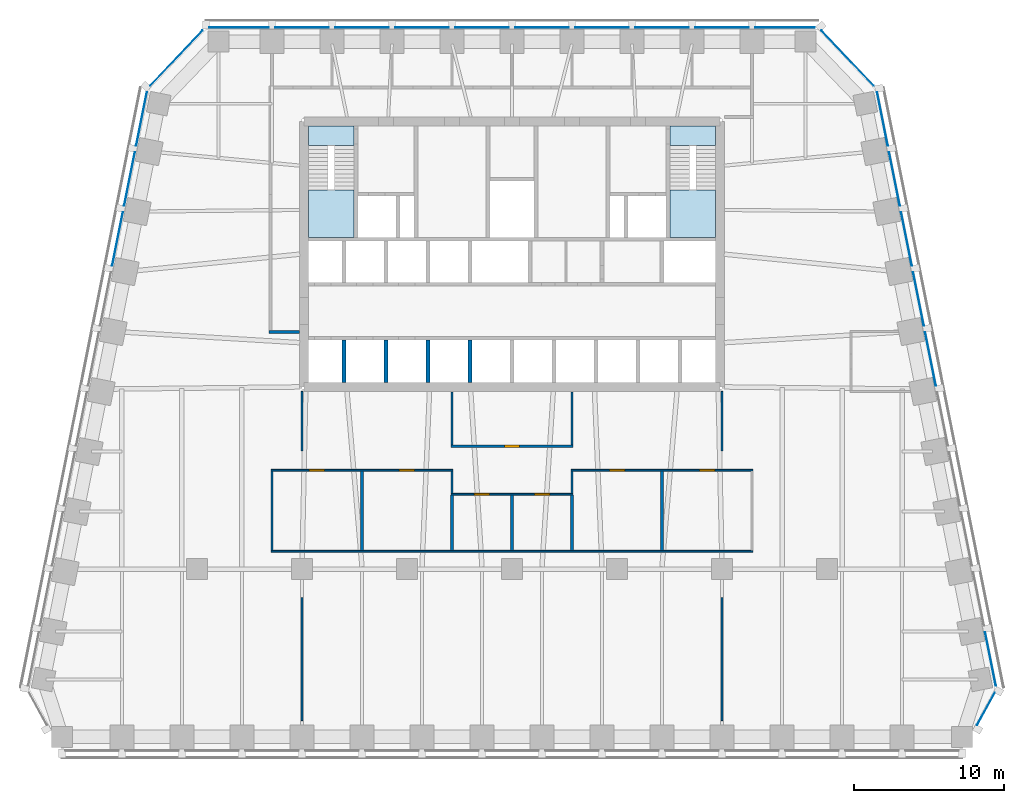
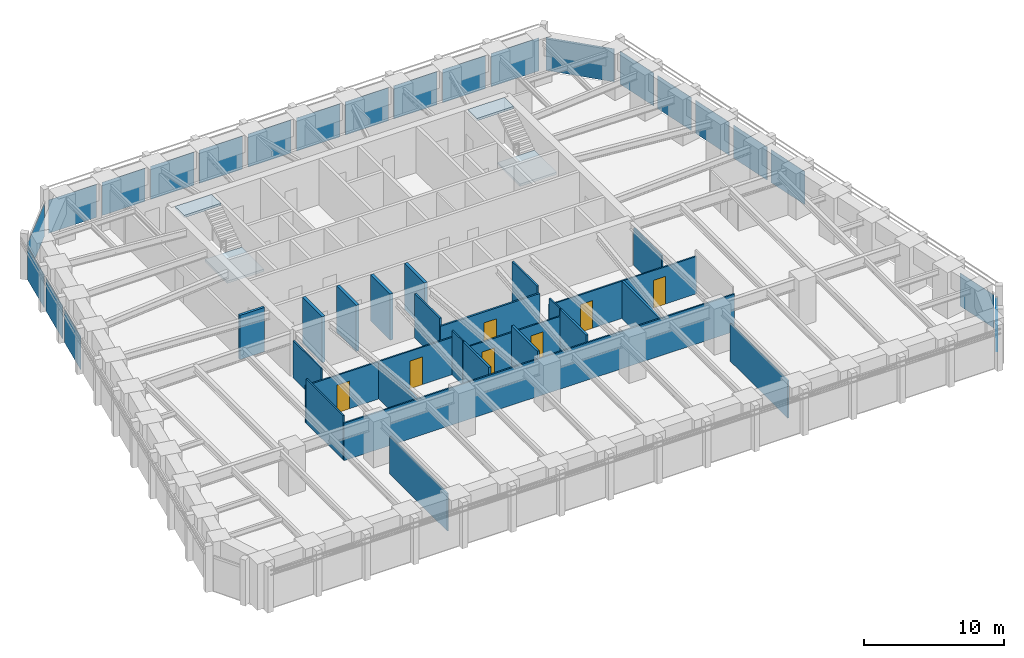
# One storey, part 5 of 9: 24 walls, 22 plates, 7 doors, 4 slabs, 7 openings, 8 elements without a shape of their own.
"""IFC4 building model written with IfcOpenShell, lengths in metres."""

from ifc_helpers import new_model, si_unit, direction, frame, frame_2d, origin, origin_2d, place, context, subcontext, project, spatial, polyline, rectangle, outline, extrude, material, layer, layer_set, type_object, element, fill, aggregate, save


model = new_model("IFC4")

# Units and contexts
model_context = context("Model", 3, precision=1e-05, world=origin(), true_north=direction((0.0, 1.0)))
body_context = subcontext(model_context, "Body", "Model", "MODEL_VIEW")
ifc_project = project(units=[si_unit("LENGTHUNIT", "METRE"), si_unit("AREAUNIT", "SQUARE_METRE"), si_unit("VOLUMEUNIT", "CUBIC_METRE"), si_unit("PLANEANGLEUNIT", "RADIAN"), si_unit("MASSUNIT", "GRAM", prefix="KILO")], contexts=[model_context])

# Site, building, storey
site_placement = place(None, origin())
site = spatial("IfcSite", under=ifc_project, at=site_placement, CompositionType="ELEMENT")
building_placement = place(site_placement, origin())
building = spatial("IfcBuilding", under=site, at=building_placement, Name="Isbrekke Arena Tower", CompositionType="ELEMENT")
storey_placement = place(building_placement, frame((0.0, 0.0, 178.0)))
storey = spatial("IfcBuildingStorey", under=building, at=storey_placement, Name="L40", CompositionType="ELEMENT", Elevation=178.0)

# Curtain wall, plate
ifc_material_1 = material(Name="Glazed aluminium curtain wall", Category="aluminium")
curtain_wall_type = type_object("IfcCurtainWallType", Name="CWH TOWER CURTAIN WALL HIGH ZONE", PredefinedType="USERDEFINED", material=ifc_material_1)
curtain_wall_1_placement = place(storey_placement, origin())
curtain_wall_1 = element("IfcCurtainWall", 1, at=curtain_wall_1_placement, inside=storey, type_object=curtain_wall_type, Name="CWH curtain wall L40-SE", ObjectType="TOWER CURTAIN WALL HIGH ZONE", PredefinedType="USERDEFINED")
ifc_material_2 = material(Name="Triple-glazed clear glass unit", Category="glass")
ifc_layer_1 = layer(ifc_material_2, 0.031982421875)
ifc_layer_set_1 = layer_set([ifc_layer_1], Name="CWH-P VISION PANEL")
plate_type = type_object("IfcPlateType", Name="CWH-P VISION PANEL", PredefinedType="CURTAIN_PANEL", material=ifc_layer_set_1)
plate_1_placement = place(storey_placement, frame((31.5908203125, -15.3154296875, 0.02001953125), z_axis=(0.0, 0.0, 1.0), x_axis=(0.481918749773, 0.876215908676, 0.0)))
plate_1 = element("IfcPlate", 2, at=plate_1_placement, type_object=plate_type, Name="CWH-P panel 1", PredefinedType="CURTAIN_PANEL", context=body_context, shape_type="SweptSolid", body=[
    extrude(rectangle(XDim=2.4423828125, YDim=0.031982421875, at=origin_2d()), origin(), (0.0, 0.0, 1.0), 2.8798828125),
])
aggregate(curtain_wall_1, [plate_1])

# Curtain wall, plates
curtain_wall_2_placement = place(storey_placement, origin())
curtain_wall_2 = element("IfcCurtainWall", 3, at=curtain_wall_2_placement, inside=storey, type_object=curtain_wall_type, Name="CWH curtain wall L40-E", ObjectType="TOWER CURTAIN WALL HIGH ZONE", PredefinedType="USERDEFINED")
plate_2_placement = place(storey_placement, frame((31.89794921875, -11.98046875, 0.02001953125), z_axis=(0.0, 0.0, 1.0), x_axis=(-0.196116135138, 0.980580675691, 0.0)))
plate_2 = element("IfcPlate", 4, at=plate_2_placement, type_object=plate_type, Name="CWH-P panel 1", PredefinedType="CURTAIN_PANEL", context=body_context, shape_type="SweptSolid", body=[
    extrude(rectangle(XDim=3.629150390625, YDim=0.031982421875, at=origin_2d()), origin(), (0.0, 0.0, 1.0), 2.8798828125),
])
plate_3_placement = place(storey_placement, frame((27.89794921875, 8.01953125, 0.02001953125), z_axis=(0.0, 0.0, 1.0), x_axis=(-0.196116135138, 0.980580675691, 0.0)))
plate_3 = element("IfcPlate", 5, at=plate_3_placement, type_object=plate_type, Name="CWH-P panel 6", PredefinedType="CURTAIN_PANEL", context=body_context, shape_type="SweptSolid", body=[
    extrude(rectangle(XDim=3.629150390625, YDim=0.031982421875, at=origin_2d()), origin(), (0.0, 0.0, 1.0), 2.8798828125),
])
plate_4_placement = place(storey_placement, frame((27.09814453125, 12.01953125, 0.02001953125), z_axis=(0.0, 0.0, 1.0), x_axis=(-0.196116135138, 0.980580675691, 0.0)))
plate_4 = element("IfcPlate", 6, at=plate_4_placement, type_object=plate_type, Name="CWH-P panel 7", PredefinedType="CURTAIN_PANEL", context=body_context, shape_type="SweptSolid", body=[
    extrude(rectangle(XDim=3.629150390625, YDim=0.031982421875, at=origin_2d()), origin(), (0.0, 0.0, 1.0), 2.8798828125),
])
plate_5_placement = place(storey_placement, frame((26.298095703125, 16.01953125, 0.02001953125), z_axis=(0.0, 0.0, 1.0), x_axis=(-0.196116135138, 0.980580675691, 0.0)))
plate_5 = element("IfcPlate", 7, at=plate_5_placement, type_object=plate_type, Name="CWH-P panel 8", PredefinedType="CURTAIN_PANEL", context=body_context, shape_type="SweptSolid", body=[
    extrude(rectangle(XDim=3.629150390625, YDim=0.031982421875, at=origin_2d()), origin(), (0.0, 0.0, 1.0), 2.8798828125),
])
plate_6_placement = place(storey_placement, frame((25.498046875, 20.01953125, 0.02001953125), z_axis=(0.0, 0.0, 1.0), x_axis=(-0.196116135138, 0.980580675691, 0.0)))
plate_6 = element("IfcPlate", 8, at=plate_6_placement, type_object=plate_type, Name="CWH-P panel 9", PredefinedType="CURTAIN_PANEL", context=body_context, shape_type="SweptSolid", body=[
    extrude(rectangle(XDim=3.629150390625, YDim=0.031982421875, at=origin_2d()), origin(), (0.0, 0.0, 1.0), 2.8798828125),
])
plate_7_placement = place(storey_placement, frame((24.697998046875, 24.01953125, 0.02001953125), z_axis=(0.0, 0.0, 1.0), x_axis=(-0.196116135138, 0.980580675691, 0.0)))
plate_7 = element("IfcPlate", 9, at=plate_7_placement, type_object=plate_type, Name="CWH-P panel 10", PredefinedType="CURTAIN_PANEL", context=body_context, shape_type="SweptSolid", body=[
    extrude(rectangle(XDim=3.629150390625, YDim=0.031982421875, at=origin_2d()), origin(), (0.0, 0.0, 1.0), 2.8798828125),
])
aggregate(curtain_wall_2, [plate_2, plate_3, plate_4, plate_5, plate_6, plate_7])

# Curtain wall, plate
curtain_wall_3_placement = place(storey_placement, origin())
curtain_wall_3 = element("IfcCurtainWall", 10, at=curtain_wall_3_placement, inside=storey, type_object=curtain_wall_type, Name="CWH curtain wall L40-EN", ObjectType="TOWER CURTAIN WALL HIGH ZONE", PredefinedType="USERDEFINED")
plate_8_placement = place(storey_placement, frame((22.37255859375, 28.06884765625, 0.02001953125), z_axis=(0.0, 0.0, 1.0), x_axis=(-0.68874946192, 0.72499943359, 0.0)))
plate_8 = element("IfcPlate", 11, at=plate_8_placement, type_object=plate_type, Name="CWH-P panel 1", PredefinedType="CURTAIN_PANEL", context=body_context, shape_type="SweptSolid", body=[
    extrude(rectangle(XDim=5.067138671875, YDim=0.031982421875, at=origin_2d()), origin(), (0.0, 0.0, 1.0), 2.8798828125),
])
aggregate(curtain_wall_3, [plate_8])

# Curtain wall, plates
curtain_wall_4_placement = place(storey_placement, origin())
curtain_wall_4 = element("IfcCurtainWall", 12, at=curtain_wall_4_placement, inside=storey, type_object=curtain_wall_type, Name="CWH curtain wall L40-N", ObjectType="TOWER CURTAIN WALL HIGH ZONE", PredefinedType="USERDEFINED")
plate_9_placement = place(storey_placement, frame((18.199951171875, 30.10009765625, 0.02001953125), z_axis=(0.0, 0.0, 1.0), x_axis=(-1.0, 0.0, 0.0)))
plate_9 = element("IfcPlate", 13, at=plate_9_placement, type_object=plate_type, Name="CWH-P panel 1", PredefinedType="CURTAIN_PANEL", context=body_context, shape_type="SweptSolid", body=[
    extrude(rectangle(XDim=3.949951171875, YDim=0.031982421875, at=origin_2d()), origin(), (0.0, 0.0, 1.0), 2.8798828125),
])
plate_10_placement = place(storey_placement, frame((14.0, 30.10009765625, 0.02001953125), z_axis=(0.0, 0.0, 1.0), x_axis=(-1.0, 0.0, 0.0)))
plate_10 = element("IfcPlate", 14, at=plate_10_placement, type_object=plate_type, Name="CWH-P panel 2", PredefinedType="CURTAIN_PANEL", context=body_context, shape_type="SweptSolid", body=[
    extrude(rectangle(XDim=3.550048828125, YDim=0.031982421875, at=origin_2d()), origin(), (0.0, 0.0, 1.0), 2.8798828125),
])
plate_11_placement = place(storey_placement, frame((10.0, 30.10009765625, 0.02001953125), z_axis=(0.0, 0.0, 1.0), x_axis=(-1.0, 0.0, 0.0)))
plate_11 = element("IfcPlate", 15, at=plate_11_placement, type_object=plate_type, Name="CWH-P panel 3", PredefinedType="CURTAIN_PANEL", context=body_context, shape_type="SweptSolid", body=[
    extrude(rectangle(XDim=3.550048828125, YDim=0.031982421875, at=origin_2d()), origin(), (0.0, 0.0, 1.0), 2.8798828125),
])
plate_12_placement = place(storey_placement, frame((6.0, 30.10009765625, 0.02001953125), z_axis=(0.0, 0.0, 1.0), x_axis=(-1.0, 0.0, 0.0)))
plate_12 = element("IfcPlate", 16, at=plate_12_placement, type_object=plate_type, Name="CWH-P panel 4", PredefinedType="CURTAIN_PANEL", context=body_context, shape_type="SweptSolid", body=[
    extrude(rectangle(XDim=3.550048828125, YDim=0.031982421875, at=origin_2d()), origin(), (0.0, 0.0, 1.0), 2.8798828125),
])
plate_13_placement = place(storey_placement, frame((2.0, 30.10009765625, 0.02001953125), z_axis=(0.0, 0.0, 1.0), x_axis=(-1.0, 0.0, 0.0)))
plate_13 = element("IfcPlate", 17, at=plate_13_placement, type_object=plate_type, Name="CWH-P panel 5", PredefinedType="CURTAIN_PANEL", context=body_context, shape_type="SweptSolid", body=[
    extrude(rectangle(XDim=3.550048828125, YDim=0.031982421875, at=origin_2d()), origin(), (0.0, 0.0, 1.0), 2.8798828125),
])
plate_14_placement = place(storey_placement, frame((-2.0, 30.10009765625, 0.02001953125), z_axis=(0.0, 0.0, 1.0), x_axis=(-1.0, 0.0, 0.0)))
plate_14 = element("IfcPlate", 18, at=plate_14_placement, type_object=plate_type, Name="CWH-P panel 6", PredefinedType="CURTAIN_PANEL", context=body_context, shape_type="SweptSolid", body=[
    extrude(rectangle(XDim=3.550048828125, YDim=0.031982421875, at=origin_2d()), origin(), (0.0, 0.0, 1.0), 2.8798828125),
])
plate_15_placement = place(storey_placement, frame((-6.0, 30.10009765625, 0.02001953125), z_axis=(0.0, 0.0, 1.0), x_axis=(-1.0, 0.0, 0.0)))
plate_15 = element("IfcPlate", 19, at=plate_15_placement, type_object=plate_type, Name="CWH-P panel 7", PredefinedType="CURTAIN_PANEL", context=body_context, shape_type="SweptSolid", body=[
    extrude(rectangle(XDim=3.550048828125, YDim=0.031982421875, at=origin_2d()), origin(), (0.0, 0.0, 1.0), 2.8798828125),
])
plate_16_placement = place(storey_placement, frame((-10.0, 30.10009765625, 0.02001953125), z_axis=(0.0, 0.0, 1.0), x_axis=(-1.0, 0.0, 0.0)))
plate_16 = element("IfcPlate", 20, at=plate_16_placement, type_object=plate_type, Name="CWH-P panel 8", PredefinedType="CURTAIN_PANEL", context=body_context, shape_type="SweptSolid", body=[
    extrude(rectangle(XDim=3.550048828125, YDim=0.031982421875, at=origin_2d()), origin(), (0.0, 0.0, 1.0), 2.8798828125),
])
plate_17_placement = place(storey_placement, frame((-14.0, 30.10009765625, 0.02001953125), z_axis=(0.0, 0.0, 1.0), x_axis=(-1.0, 0.0, 0.0)))
plate_17 = element("IfcPlate", 21, at=plate_17_placement, type_object=plate_type, Name="CWH-P panel 9", PredefinedType="CURTAIN_PANEL", context=body_context, shape_type="SweptSolid", body=[
    extrude(rectangle(XDim=3.550048828125, YDim=0.031982421875, at=origin_2d()), origin(), (0.0, 0.0, 1.0), 2.8798828125),
])
plate_18_placement = place(storey_placement, frame((-18.199951171875, 30.10009765625, 0.02001953125), z_axis=(0.0, 0.0, 1.0), x_axis=(-1.0, 0.0, 0.0)))
plate_18 = element("IfcPlate", 22, at=plate_18_placement, type_object=plate_type, Name="CWH-P panel 10", PredefinedType="CURTAIN_PANEL", context=body_context, shape_type="SweptSolid", body=[
    extrude(rectangle(XDim=3.949951171875, YDim=0.031982421875, at=origin_2d()), origin(), (0.0, 0.0, 1.0), 2.8798828125),
])
aggregate(curtain_wall_4, [plate_9, plate_10, plate_11, plate_12, plate_13, plate_14, plate_15, plate_16, plate_17, plate_18])

# Curtain wall, plate
curtain_wall_5_placement = place(storey_placement, origin())
curtain_wall_5 = element("IfcCurtainWall", 23, at=curtain_wall_5_placement, inside=storey, type_object=curtain_wall_type, Name="CWH curtain wall L40-NW", ObjectType="TOWER CURTAIN WALL HIGH ZONE", PredefinedType="USERDEFINED")
plate_19_placement = place(storey_placement, frame((-22.37255859375, 28.06884765625, 0.02001953125), z_axis=(0.0, 0.0, 1.0), x_axis=(-0.68874946192, -0.72499943359, 0.0)))
plate_19 = element("IfcPlate", 24, at=plate_19_placement, type_object=plate_type, Name="CWH-P panel 1", PredefinedType="CURTAIN_PANEL", context=body_context, shape_type="SweptSolid", body=[
    extrude(rectangle(XDim=5.067138671875, YDim=0.031982421875, at=origin_2d()), origin(), (0.0, 0.0, 1.0), 2.8798828125),
])
aggregate(curtain_wall_5, [plate_19])

# Curtain wall, plates
curtain_wall_6_placement = place(storey_placement, origin())
curtain_wall_6 = element("IfcCurtainWall", 25, at=curtain_wall_6_placement, inside=storey, type_object=curtain_wall_type, Name="CWH curtain wall L40-W", ObjectType="TOWER CURTAIN WALL HIGH ZONE", PredefinedType="USERDEFINED")
plate_20_placement = place(storey_placement, frame((-24.697998046875, 24.01953125, 0.02001953125), z_axis=(0.0, 0.0, 1.0), x_axis=(-0.196116135138, -0.980580675691, 0.0)))
plate_20 = element("IfcPlate", 26, at=plate_20_placement, type_object=plate_type, Name="CWH-P panel 1", PredefinedType="CURTAIN_PANEL", context=body_context, shape_type="SweptSolid", body=[
    extrude(rectangle(XDim=3.629150390625, YDim=0.031982421875, at=origin_2d()), origin(), (0.0, 0.0, 1.0), 2.8798828125),
])
plate_21_placement = place(storey_placement, frame((-25.498046875, 20.01953125, 0.02001953125), z_axis=(0.0, 0.0, 1.0), x_axis=(-0.196116135138, -0.980580675691, 0.0)))
plate_21 = element("IfcPlate", 27, at=plate_21_placement, type_object=plate_type, Name="CWH-P panel 2", PredefinedType="CURTAIN_PANEL", context=body_context, shape_type="SweptSolid", body=[
    extrude(rectangle(XDim=3.629150390625, YDim=0.031982421875, at=origin_2d()), origin(), (0.0, 0.0, 1.0), 2.8798828125),
])
plate_22_placement = place(storey_placement, frame((-26.298095703125, 16.01953125, 0.02001953125), z_axis=(0.0, 0.0, 1.0), x_axis=(-0.196116135138, -0.980580675691, 0.0)))
plate_22 = element("IfcPlate", 28, at=plate_22_placement, type_object=plate_type, Name="CWH-P panel 3", PredefinedType="CURTAIN_PANEL", context=body_context, shape_type="SweptSolid", body=[
    extrude(rectangle(XDim=3.629150390625, YDim=0.031982421875, at=origin_2d()), origin(), (0.0, 0.0, 1.0), 2.8798828125),
])
aggregate(curtain_wall_6, [plate_20, plate_21, plate_22])

# Stair, slabs
ifc_material_3 = material(Name="Concrete B45 (C45/55) precast", Category="concrete")
stair_type = type_object("IfcStairType", Name="ST40 STAIR 1300 WIDE, 24 RISERS 167", PredefinedType="HALF_TURN_STAIR", material=ifc_material_3)
stair_1_placement = place(storey_placement, origin())
stair_1 = element("IfcStair", 29, at=stair_1_placement, inside=storey, type_object=stair_type, Name="ST1 stair L40", PredefinedType="HALF_TURN_STAIR")
ifc_material_4 = material(Name="Concrete B35 (C35/45)", Category="concrete")
ifc_layer_2 = layer(ifc_material_4, 0.199951171875)
ifc_layer_set_2 = layer_set([ifc_layer_2], Name="SL1 STAIR LANDING 200")
slab_type = type_object("IfcSlabType", Name="SL1 STAIR LANDING 200", PredefinedType="LANDING", material=ifc_layer_set_2)
slab_1_placement = place(storey_placement, frame((0.0, 0.0, 1.800048828125)))
slab_1 = element("IfcSlab", 30, at=slab_1_placement, type_object=slab_type, Name="ST1 landing 1", PredefinedType="LANDING", context=body_context, shape_type="SweptSolid", body=[
    extrude(outline(polyline([(-13.550048828125, 16.125), (-10.52490234375, 16.125), (-10.52490234375, 19.280029296875), (-13.550048828125, 19.280029296875), (-13.550048828125, 16.125)])), origin(), (0.0, 0.0, 1.0), 0.199951171875),
])
slab_2_placement = place(storey_placement, frame((0.0, 0.0, 3.800048828125)))
slab_2 = element("IfcSlab", 31, at=slab_2_placement, type_object=slab_type, Name="ST1 landing 2", PredefinedType="LANDING", context=body_context, shape_type="SweptSolid", body=[
    extrude(outline(polyline([(-13.550048828125, 22.25), (-10.52490234375, 22.25), (-10.52490234375, 23.550048828125), (-13.550048828125, 23.550048828125), (-13.550048828125, 22.25)])), origin(), (0.0, 0.0, 1.0), 0.199951171875),
])
aggregate(stair_1, [slab_1, slab_2])

stair_2_placement = place(storey_placement, origin())
stair_2 = element("IfcStair", 32, at=stair_2_placement, inside=storey, type_object=stair_type, Name="ST2 stair L40", PredefinedType="HALF_TURN_STAIR")
slab_3_placement = place(storey_placement, frame((0.0, 0.0, 1.800048828125)))
slab_3 = element("IfcSlab", 33, at=slab_3_placement, type_object=slab_type, Name="ST2 landing 1", PredefinedType="LANDING", context=body_context, shape_type="SweptSolid", body=[
    extrude(outline(polyline([(10.52490234375, 16.125), (13.550048828125, 16.125), (13.550048828125, 19.280029296875), (10.52490234375, 19.280029296875), (10.52490234375, 16.125)])), origin(), (0.0, 0.0, 1.0), 0.199951171875),
])
slab_4_placement = place(storey_placement, frame((0.0, 0.0, 3.800048828125)))
slab_4 = element("IfcSlab", 34, at=slab_4_placement, type_object=slab_type, Name="ST2 landing 2", PredefinedType="LANDING", context=body_context, shape_type="SweptSolid", body=[
    extrude(outline(polyline([(10.52490234375, 22.25), (13.550048828125, 22.25), (13.550048828125, 23.550048828125), (10.52490234375, 23.550048828125), (10.52490234375, 22.25)])), origin(), (0.0, 0.0, 1.0), 0.199951171875),
])
aggregate(stair_2, [slab_3, slab_4])

# Walls
ifc_material_5 = material(Name="Concrete B45 (C45/55)", Category="concrete")
ifc_layer_3 = layer(ifc_material_5, 0.25)
ifc_layer_set_3 = layer_set([ifc_layer_3], Name="CW6 SHAFT WALL 250")
wall_type_1 = type_object("IfcWallType", Name="CW6 SHAFT WALL 250", PredefinedType="SHEAR", material=ifc_layer_set_3)
for number, where, z_axis, x_axis, name in (
    (35, (-11.199951171875, 6.449951171875, 0.0), (0.0, 0.0, 1.0), (0.0, 1.0, 0.0), "Core wall SS01 L40"),
    (36, (-8.39990234375, 6.449951171875, 0.0), (0.0, 0.0, 1.0), (0.0, 1.0, 0.0), "Core wall SS02 L40"),
    (37, (-5.60009765625, 6.449951171875, 0.0), (0.0, 0.0, 1.0), (0.0, 1.0, 0.0), "Core wall SS03 L40"),
    (38, (-2.800048828125, 6.449951171875, 0.0), (0.0, 0.0, 1.0), (0.0, 1.0, 0.0), "Core wall SS04 L40"),
):
    element("IfcWall", number, at=place(storey_placement, frame(where, z_axis=z_axis, x_axis=x_axis)), inside=storey, type_object=wall_type_1, Name=name, PredefinedType="SHEAR", context=body_context, shape_type="SweptSolid", body=[
        extrude(rectangle(XDim=2.824951171875, YDim=0.25, at=frame_2d((1.41259765625, 0.0))), origin(), (0.0, 0.0, 1.0), 4.0),
    ])

# Wall, opening, door
ifc_material_6 = material(Name="Gypsum board partition on steel studs", Category="steel")
ifc_layer_4 = layer(ifc_material_6, 0.14990234375)
ifc_layer_set_4 = layer_set([ifc_layer_4], Name="IW1 PARTITION 150")
wall_type_2 = type_object("IfcWallType", Name="IW1 PARTITION 150", PredefinedType="PARTITIONING", material=ifc_layer_set_4)
wall_1_placement = place(storey_placement, frame((-4.074951171875, 2.199951171875, 0.0), z_axis=(0.0, 0.0, 1.0), x_axis=(1.0, 0.0, 0.0)))
wall_1 = element("IfcWall", 39, at=wall_1_placement, inside=storey, type_object=wall_type_2, Name="IW1 partition 150 L40", PredefinedType="PARTITIONING", context=body_context, shape_type="SweptSolid", body=[
    extrude(rectangle(XDim=8.14990234375, YDim=0.14990234375, at=frame_2d((4.074951171875, 0.0))), origin(), (0.0, 0.0, 1.0), 3.25),
])
opening_1_placement = place(wall_1_placement, frame((3.574951171875, 0.0, 0.0)))
opening_1 = element("IfcOpeningElement", 40, at=opening_1_placement, cuts=wall_1, Name="Opening D10", PredefinedType="OPENING", context=body_context, shape_type="SweptSolid", body=[
    extrude(rectangle(XDim=1.0, YDim=2.300048828125, at=frame_2d((0.5, 1.14990234375))), frame((0.0, 0.08984375, 0.0), z_axis=(0.0, -1.0, 0.0), x_axis=(1.0, 0.0, 0.0)), (0.0, 0.0, 1.0), 0.1796875),
])
ifc_material_7 = material(Name="Timber door", Category="wood")
door_type_1 = type_object("IfcDoorType", Name="D10 OFFICE DOOR 1000 x 2300", OperationType="SINGLE_SWING_LEFT", PredefinedType="DOOR", material=ifc_material_7)
door_1_placement = place(opening_1_placement, origin())
door_1 = element("IfcDoor", 41, at=door_1_placement, inside=storey, type_object=door_type_1, Name="D10 technical room door L40", OperationType="SINGLE_SWING_LEFT", OverallHeight=2.300048828125, OverallWidth=1.0, PredefinedType="DOOR", context=body_context, shape_type="SweptSolid", body=[
    extrude(rectangle(XDim=1.0, YDim=2.300048828125, at=frame_2d((0.5, 1.14990234375))), frame((0.0, 0.07470703125, 0.0), z_axis=(0.0, -1.0, 0.0), x_axis=(1.0, 0.0, 0.0)), (0.0, 0.0, 1.0), 0.1494140625),
])
fill(opening_1, door_1)

# Walls
for number, where, z_axis, x_axis, name in (
    (42, (-4.0, 2.27490234375, 0.0), (0.0, 0.0, 1.0), (0.0, 1.0, 0.0), "IW1 partition 150 L40"),
    (43, (4.0, 2.27490234375, 0.0), (0.0, 0.0, 1.0), (0.0, 1.0, 0.0), "IW1 partition 150 L40"),
):
    element("IfcWall", number, at=place(storey_placement, frame(where, z_axis=z_axis, x_axis=x_axis)), inside=storey, type_object=wall_type_2, Name=name, PredefinedType="PARTITIONING", context=body_context, shape_type="SweptSolid", body=[
        extrude(rectangle(XDim=3.545166015625, YDim=0.14990234375, at=frame_2d((1.7724609375, 0.0))), origin(), (0.0, 0.0, 1.0), 3.85009765625),
    ])
ifc_material_8 = material(Name="Frameless glazed partition, laminated acoustic glass", Category="glass")
ifc_layer_5 = layer(ifc_material_8, 0.1201171875)
ifc_layer_set_5 = layer_set([ifc_layer_5], Name="IW2 GLAZED PARTITION 120")
wall_type_3 = type_object("IfcWallType", Name="IW2 GLAZED PARTITION 120", PredefinedType="PARTITIONING", material=ifc_layer_set_5)
wall_2_placement = place(storey_placement, frame((-16.06005859375, -4.800048828125, 0.0), z_axis=(0.0, 0.0, 1.0), x_axis=(1.0, 0.0, 0.0)))
element("IfcWall", 44, at=wall_2_placement, inside=storey, type_object=wall_type_3, Name="IW2 glazed partition 120 L40", PredefinedType="PARTITIONING", context=body_context, shape_type="SweptSolid", body=[
    extrude(rectangle(XDim=32.1201171875, YDim=0.1201171875, at=frame_2d((16.06005859375, 0.0))), origin(), (0.0, 0.0, 1.0), 3.25),
])

# Wall, openings, doors
wall_3_placement = place(storey_placement, frame((-4.06005859375, -1.0, 0.0), z_axis=(0.0, 0.0, 1.0), x_axis=(1.0, 0.0, 0.0)))
wall_3 = element("IfcWall", 45, at=wall_3_placement, inside=storey, type_object=wall_type_3, Name="IW2 glazed partition 120 L40", PredefinedType="PARTITIONING", context=body_context, shape_type="SweptSolid", body=[
    extrude(rectangle(XDim=8.1201171875, YDim=0.1201171875, at=frame_2d((4.06005859375, 0.0))), origin(), (0.0, 0.0, 1.0), 3.25),
])
opening_2_placement = place(wall_3_placement, frame((1.56005859375, 0.0, 0.0)))
opening_2 = element("IfcOpeningElement", 46, at=opening_2_placement, cuts=wall_3, Name="Opening D11", PredefinedType="OPENING", context=body_context, shape_type="SweptSolid", body=[
    extrude(rectangle(XDim=1.0, YDim=2.39990234375, at=frame_2d((0.5, 1.199951171875))), frame((0.0, 0.074951171875, 0.0), z_axis=(0.0, -1.0, 0.0), x_axis=(1.0, 0.0, 0.0)), (0.0, 0.0, 1.0), 0.14990234375),
])
opening_3_placement = place(wall_3_placement, frame((5.56005859375, 0.0, 0.0)))
opening_3 = element("IfcOpeningElement", 47, at=opening_3_placement, cuts=wall_3, Name="Opening D11", PredefinedType="OPENING", context=body_context, shape_type="SweptSolid", body=[
    extrude(rectangle(XDim=1.0, YDim=2.39990234375, at=frame_2d((0.5, 1.199951171875))), frame((0.0, 0.074951171875, 0.0), z_axis=(0.0, -1.0, 0.0), x_axis=(1.0, 0.0, 0.0)), (0.0, 0.0, 1.0), 0.14990234375),
])
ifc_material_9 = material(Name="Frameless glazed door", Category="glass")
door_type_2 = type_object("IfcDoorType", Name="D11 GLAZED MEETING ROOM DOOR 1000 x 2400", OperationType="SINGLE_SWING_RIGHT", PredefinedType="DOOR", material=ifc_material_9)
door_2_placement = place(opening_2_placement, origin())
door_2 = element("IfcDoor", 48, at=door_2_placement, inside=storey, type_object=door_type_2, Name="D11 quiet room door L40", OperationType="SINGLE_SWING_RIGHT", OverallHeight=2.39990234375, OverallWidth=1.0, PredefinedType="DOOR", context=body_context, shape_type="SweptSolid", body=[
    extrude(rectangle(XDim=1.0, YDim=2.39990234375, at=frame_2d((0.5, 1.199951171875))), frame((0.0, 0.059814453125, 0.0), z_axis=(0.0, -1.0, 0.0), x_axis=(1.0, 0.0, 0.0)), (0.0, 0.0, 1.0), 0.11962890625),
])
fill(opening_2, door_2)
door_3_placement = place(opening_3_placement, origin())
door_3 = element("IfcDoor", 49, at=door_3_placement, inside=storey, type_object=door_type_2, Name="D11 quiet room door L40", OperationType="SINGLE_SWING_RIGHT", OverallHeight=2.39990234375, OverallWidth=1.0, PredefinedType="DOOR", context=body_context, shape_type="SweptSolid", body=[
    extrude(rectangle(XDim=1.0, YDim=2.39990234375, at=frame_2d((0.5, 1.199951171875))), frame((0.0, 0.059814453125, 0.0), z_axis=(0.0, -1.0, 0.0), x_axis=(1.0, 0.0, 0.0)), (0.0, 0.0, 1.0), 0.11962890625),
])
fill(opening_3, door_3)

wall_4_placement = place(storey_placement, frame((-16.06005859375, 0.60009765625, 0.0), z_axis=(0.0, 0.0, 1.0), x_axis=(1.0, 0.0, 0.0)))
wall_4 = element("IfcWall", 50, at=wall_4_placement, inside=storey, type_object=wall_type_3, Name="IW2 glazed partition 120 L40", PredefinedType="PARTITIONING", context=body_context, shape_type="SweptSolid", body=[
    extrude(rectangle(XDim=12.1201171875, YDim=0.1201171875, at=frame_2d((6.06005859375, 0.0))), origin(), (0.0, 0.0, 1.0), 3.25),
])
opening_4_placement = place(wall_4_placement, frame((2.56005859375, 0.0, 0.0)))
opening_4 = element("IfcOpeningElement", 51, at=opening_4_placement, cuts=wall_4, Name="Opening D11", PredefinedType="OPENING", context=body_context, shape_type="SweptSolid", body=[
    extrude(rectangle(XDim=1.0, YDim=2.39990234375, at=frame_2d((0.5, 1.199951171875))), frame((0.0, 0.074951171875, 0.0), z_axis=(0.0, -1.0, 0.0), x_axis=(1.0, 0.0, 0.0)), (0.0, 0.0, 1.0), 0.14990234375),
])
opening_5_placement = place(wall_4_placement, frame((8.56005859375, 0.0, 0.0)))
opening_5 = element("IfcOpeningElement", 52, at=opening_5_placement, cuts=wall_4, Name="Opening D11", PredefinedType="OPENING", context=body_context, shape_type="SweptSolid", body=[
    extrude(rectangle(XDim=1.0, YDim=2.39990234375, at=frame_2d((0.5, 1.199951171875))), frame((0.0, 0.074951171875, 0.0), z_axis=(0.0, -1.0, 0.0), x_axis=(1.0, 0.0, 0.0)), (0.0, 0.0, 1.0), 0.14990234375),
])
door_4_placement = place(opening_4_placement, origin())
door_4 = element("IfcDoor", 53, at=door_4_placement, inside=storey, type_object=door_type_2, Name="D11 meeting room door L40", OperationType="SINGLE_SWING_RIGHT", OverallHeight=2.39990234375, OverallWidth=1.0, PredefinedType="DOOR", context=body_context, shape_type="SweptSolid", body=[
    extrude(rectangle(XDim=1.0, YDim=2.39990234375, at=frame_2d((0.5, 1.199951171875))), frame((0.0, 0.059814453125, 0.0), z_axis=(0.0, -1.0, 0.0), x_axis=(1.0, 0.0, 0.0)), (0.0, 0.0, 1.0), 0.11962890625),
])
fill(opening_4, door_4)
door_5_placement = place(opening_5_placement, origin())
door_5 = element("IfcDoor", 54, at=door_5_placement, inside=storey, type_object=door_type_2, Name="D11 meeting room door L40", OperationType="SINGLE_SWING_RIGHT", OverallHeight=2.39990234375, OverallWidth=1.0, PredefinedType="DOOR", context=body_context, shape_type="SweptSolid", body=[
    extrude(rectangle(XDim=1.0, YDim=2.39990234375, at=frame_2d((0.5, 1.199951171875))), frame((0.0, 0.059814453125, 0.0), z_axis=(0.0, -1.0, 0.0), x_axis=(1.0, 0.0, 0.0)), (0.0, 0.0, 1.0), 0.11962890625),
])
fill(opening_5, door_5)

wall_5_placement = place(storey_placement, frame((3.93994140625, 0.60009765625, 0.0), z_axis=(0.0, 0.0, 1.0), x_axis=(1.0, 0.0, 0.0)))
wall_5 = element("IfcWall", 55, at=wall_5_placement, inside=storey, type_object=wall_type_3, Name="IW2 glazed partition 120 L40", PredefinedType="PARTITIONING", context=body_context, shape_type="SweptSolid", body=[
    extrude(rectangle(XDim=12.1201171875, YDim=0.1201171875, at=frame_2d((6.06005859375, 0.0))), origin(), (0.0, 0.0, 1.0), 3.25),
])
opening_6_placement = place(wall_5_placement, frame((2.56005859375, 0.0, 0.0)))
opening_6 = element("IfcOpeningElement", 56, at=opening_6_placement, cuts=wall_5, Name="Opening D11", PredefinedType="OPENING", context=body_context, shape_type="SweptSolid", body=[
    extrude(rectangle(XDim=1.0, YDim=2.39990234375, at=frame_2d((0.5, 1.199951171875))), frame((0.0, 0.074951171875, 0.0), z_axis=(0.0, -1.0, 0.0), x_axis=(1.0, 0.0, 0.0)), (0.0, 0.0, 1.0), 0.14990234375),
])
opening_7_placement = place(wall_5_placement, frame((8.56005859375, 0.0, 0.0)))
opening_7 = element("IfcOpeningElement", 57, at=opening_7_placement, cuts=wall_5, Name="Opening D11", PredefinedType="OPENING", context=body_context, shape_type="SweptSolid", body=[
    extrude(rectangle(XDim=1.0, YDim=2.39990234375, at=frame_2d((0.5, 1.199951171875))), frame((0.0, 0.074951171875, 0.0), z_axis=(0.0, -1.0, 0.0), x_axis=(1.0, 0.0, 0.0)), (0.0, 0.0, 1.0), 0.14990234375),
])
door_6_placement = place(opening_6_placement, origin())
door_6 = element("IfcDoor", 58, at=door_6_placement, inside=storey, type_object=door_type_2, Name="D11 meeting room door L40", OperationType="SINGLE_SWING_RIGHT", OverallHeight=2.39990234375, OverallWidth=1.0, PredefinedType="DOOR", context=body_context, shape_type="SweptSolid", body=[
    extrude(rectangle(XDim=1.0, YDim=2.39990234375, at=frame_2d((0.5, 1.199951171875))), frame((0.0, 0.059814453125, 0.0), z_axis=(0.0, -1.0, 0.0), x_axis=(1.0, 0.0, 0.0)), (0.0, 0.0, 1.0), 0.11962890625),
])
fill(opening_6, door_6)
door_7_placement = place(opening_7_placement, origin())
door_7 = element("IfcDoor", 59, at=door_7_placement, inside=storey, type_object=door_type_2, Name="D11 meeting room door L40", OperationType="SINGLE_SWING_RIGHT", OverallHeight=2.39990234375, OverallWidth=1.0, PredefinedType="DOOR", context=body_context, shape_type="SweptSolid", body=[
    extrude(rectangle(XDim=1.0, YDim=2.39990234375, at=frame_2d((0.5, 1.199951171875))), frame((0.0, 0.059814453125, 0.0), z_axis=(0.0, -1.0, 0.0), x_axis=(1.0, 0.0, 0.0)), (0.0, 0.0, 1.0), 0.11962890625),
])
fill(opening_7, door_7)

# Walls
wall_6_placement = place(storey_placement, frame((-16.0, -4.739990234375, 0.0), z_axis=(0.0, 0.0, 1.0), x_axis=(0.0, 1.0, 0.0)))
element("IfcWall", 60, at=wall_6_placement, inside=storey, type_object=wall_type_3, Name="IW2 glazed partition 120 L40", PredefinedType="PARTITIONING", context=body_context, shape_type="SweptSolid", body=[
    extrude(rectangle(XDim=5.280029296875, YDim=0.1201171875, at=frame_2d((2.64013671875, 0.0))), origin(), (0.0, 0.0, 1.0), 3.85009765625),
])
for number, where, z_axis, x_axis, name in (
    (61, (-4.0, -0.93994140625, 0.0), (0.0, 0.0, 1.0), (0.0, 1.0, 0.0), "IW2 glazed partition 120 L40"),
    (62, (4.0, -0.93994140625, 0.0), (0.0, 0.0, 1.0), (0.0, 1.0, 0.0), "IW2 glazed partition 120 L40"),
):
    element("IfcWall", number, at=place(storey_placement, frame(where, z_axis=z_axis, x_axis=x_axis)), inside=storey, type_object=wall_type_3, Name=name, PredefinedType="PARTITIONING", context=body_context, shape_type="SweptSolid", body=[
        extrude(rectangle(XDim=1.47998046875, YDim=0.1201171875, at=frame_2d((0.739990234375, 0.0))), origin(), (0.0, 0.0, 1.0), 3.85009765625),
    ])
wall_7_placement = place(storey_placement, frame((-13.9990234375, -16.10009765625, 0.0), z_axis=(0.0, 0.0, 1.0), x_axis=(0.0, 1.0, 0.0)))
element("IfcWall", 63, at=wall_7_placement, inside=storey, type_object=wall_type_3, Name="IW2 glazed partition 120 L40", PredefinedType="PARTITIONING", context=body_context, shape_type="SweptSolid", body=[
    extrude(rectangle(XDim=8.2001953125, YDim=0.1201171875, at=frame_2d((4.10009765625, 0.0))), origin(), (0.0, 0.0, 1.0), 3.25),
])
wall_8_placement = place(storey_placement, frame((-13.9990234375, 1.8798828125, 0.0), z_axis=(0.0, 0.0, 1.0), x_axis=(0.0, 1.0, 0.0)))
element("IfcWall", 64, at=wall_8_placement, inside=storey, type_object=wall_type_3, Name="IW2 glazed partition 120 L40", PredefinedType="PARTITIONING", context=body_context, shape_type="SweptSolid", body=[
    extrude(rectangle(XDim=3.97021484375, YDim=0.1201171875, at=frame_2d((1.985107421875, 0.0))), origin(), (0.0, 0.0, 1.0), 3.25),
])
wall_9_placement = place(storey_placement, frame((14.0009765625, -16.10009765625, 0.0), z_axis=(0.0, 0.0, 1.0), x_axis=(0.0, 1.0, 0.0)))
element("IfcWall", 65, at=wall_9_placement, inside=storey, type_object=wall_type_3, Name="IW2 glazed partition 120 L40", PredefinedType="PARTITIONING", context=body_context, shape_type="SweptSolid", body=[
    extrude(rectangle(XDim=8.2001953125, YDim=0.1201171875, at=frame_2d((4.10009765625, 0.0))), origin(), (0.0, 0.0, 1.0), 3.25),
])
wall_10_placement = place(storey_placement, frame((14.0009765625, 1.8798828125, 0.0), z_axis=(0.0, 0.0, 1.0), x_axis=(0.0, 1.0, 0.0)))
element("IfcWall", 66, at=wall_10_placement, inside=storey, type_object=wall_type_3, Name="IW2 glazed partition 120 L40", PredefinedType="PARTITIONING", context=body_context, shape_type="SweptSolid", body=[
    extrude(rectangle(XDim=3.97021484375, YDim=0.1201171875, at=frame_2d((1.985107421875, 0.0))), origin(), (0.0, 0.0, 1.0), 3.25),
])
ifc_material_10 = material(Name="Gypsum board fire-cell wall on steel studs, two layers each side", Category="steel")
ifc_layer_6 = layer(ifc_material_10, 0.199951171875)
ifc_layer_set_6 = layer_set([ifc_layer_6], Name="IW3 FIRE-CELL WALL 200")
wall_type_4 = type_object("IfcWallType", Name="IW3 FIRE-CELL WALL 200", PredefinedType="PARTITIONING", material=ifc_layer_set_6)
wall_11_placement = place(storey_placement, frame((-16.199951171875, 9.800048828125, 0.0), z_axis=(0.0, 0.0, 1.0), x_axis=(1.0, 0.0, 0.0)))
element("IfcWall", 67, at=wall_11_placement, inside=storey, type_object=wall_type_4, Name="IW3 fire-cell wall 200 L40", PredefinedType="PARTITIONING", context=body_context, shape_type="SweptSolid", body=[
    extrude(rectangle(XDim=2.02001953125, YDim=0.199951171875, at=frame_2d((1.010009765625, 0.0))), origin(), (0.0, 0.0, 1.0), 3.85009765625),
])
ifc_material_11 = material(Name="Gypsum board acoustic partition on twin steel studs", Category="steel")
ifc_layer_7 = layer(ifc_material_11, 0.175048828125)
ifc_layer_set_7 = layer_set([ifc_layer_7], Name="IW4 ACOUSTIC PARTITION 175")
wall_type_5 = type_object("IfcWallType", Name="IW4 ACOUSTIC PARTITION 175", PredefinedType="PARTITIONING", material=ifc_layer_set_7)
wall_12_placement = place(storey_placement, frame((-10.0, -4.739990234375, 0.0), z_axis=(0.0, 0.0, 1.0), x_axis=(0.0, 1.0, 0.0)))
element("IfcWall", 68, at=wall_12_placement, inside=storey, type_object=wall_type_5, Name="IW4 acoustic partition 175 L40", PredefinedType="PARTITIONING", context=body_context, shape_type="SweptSolid", body=[
    extrude(rectangle(XDim=5.280029296875, YDim=0.175048828125, at=frame_2d((2.64013671875, 0.0))), origin(), (0.0, 0.0, 1.0), 3.25),
])
for number, where, z_axis, x_axis, name in (
    (69, (-4.0, -4.739990234375, 0.0), (0.0, 0.0, 1.0), (0.0, 1.0, 0.0), "IW4 acoustic partition 175 L40"),
    (70, (0.0, -4.739990234375, 0.0), (0.0, 0.0, 1.0), (0.0, 1.0, 0.0), "IW4 acoustic partition 175 L40"),
    (71, (4.0, -4.739990234375, 0.0), (0.0, 0.0, 1.0), (0.0, 1.0, 0.0), "IW4 acoustic partition 175 L40"),
):
    element("IfcWall", number, at=place(storey_placement, frame(where, z_axis=z_axis, x_axis=x_axis)), inside=storey, type_object=wall_type_5, Name=name, PredefinedType="PARTITIONING", context=body_context, shape_type="SweptSolid", body=[
        extrude(rectangle(XDim=3.679931640625, YDim=0.175048828125, at=frame_2d((1.83984375, 0.0))), origin(), (0.0, 0.0, 1.0), 3.85009765625),
    ])
wall_13_placement = place(storey_placement, frame((10.0, -4.739990234375, 0.0), z_axis=(0.0, 0.0, 1.0), x_axis=(0.0, 1.0, 0.0)))
element("IfcWall", 72, at=wall_13_placement, inside=storey, type_object=wall_type_5, Name="IW4 acoustic partition 175 L40", PredefinedType="PARTITIONING", context=body_context, shape_type="SweptSolid", body=[
    extrude(rectangle(XDim=5.280029296875, YDim=0.175048828125, at=frame_2d((2.64013671875, 0.0))), origin(), (0.0, 0.0, 1.0), 3.25),
])

save(model, "model.ifc")
